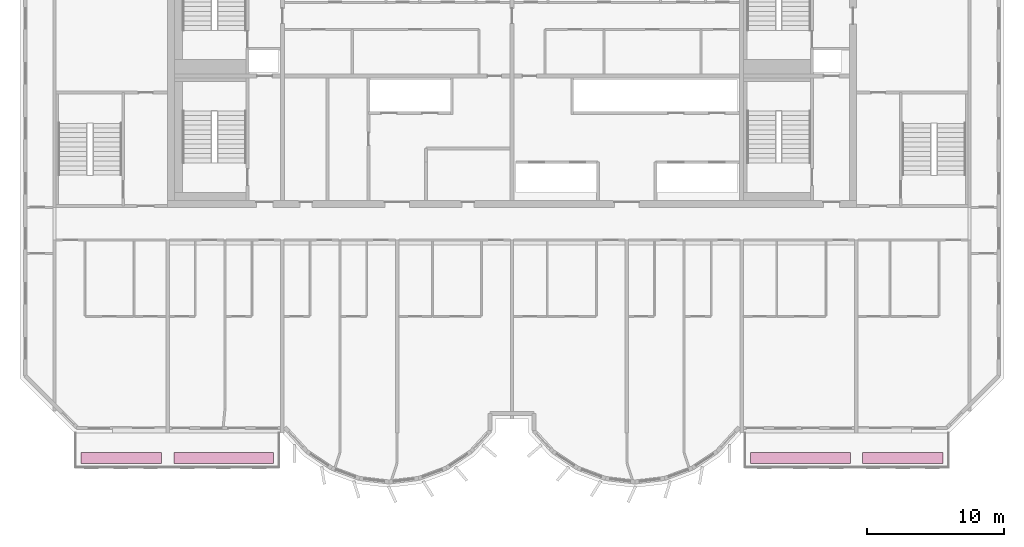
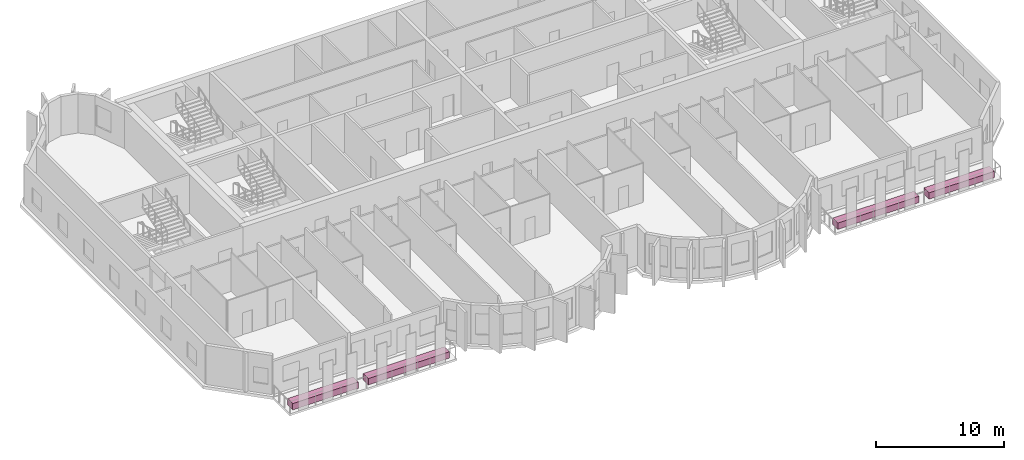
# One storey, part 12 of 12: 4 furniture elements.
"""IFC4 building model written with IfcOpenShell, lengths in metres."""

from ifc_helpers import new_model, si_unit, direction, frame, origin, origin_2d, place, context, subcontext, project, spatial, rectangle, extrude, source, transform, mapped, material, type_object, element, save


model = new_model("IFC4")

# Units and contexts
model_context = context("Model", 3, precision=1e-05, world=origin(), true_north=direction((0.0, 1.0)))
body_context = subcontext(model_context, "Body", "Model", "MODEL_VIEW")
ifc_project = project(units=[si_unit("LENGTHUNIT", "METRE"), si_unit("AREAUNIT", "SQUARE_METRE"), si_unit("VOLUMEUNIT", "CUBIC_METRE"), si_unit("PLANEANGLEUNIT", "RADIAN"), si_unit("MASSUNIT", "GRAM", prefix="KILO")], contexts=[model_context])

# Site, building, storey
site_placement = place(None, origin())
site = spatial("IfcSite", under=ifc_project, at=site_placement, CompositionType="ELEMENT")
building_placement = place(site_placement, origin())
building = spatial("IfcBuilding", under=site, at=building_placement, Name="Vanashikhar Sky Hotel", CompositionType="ELEMENT")
storey_placement = place(building_placement, frame((0.0, 0.0, 297.699951171875)))
storey = spatial("IfcBuildingStorey", under=building, at=storey_placement, Name="L71", CompositionType="ELEMENT", Elevation=297.699951171875)

# Furniture
ifc_material = material(Name="Planting soil and shrubs")
furniture_type = type_object("IfcFurnitureType", Name="Planter trough", AssemblyPlace="NOTDEFINED", PredefinedType="USERDEFINED", material=ifc_material)
shared_shape_1 = source(origin(), body_context, "Body", "SweptSolid", [
    extrude(rectangle(XDim=7.300048828125, YDim=0.800048828125, at=origin_2d()), origin(), (0.0, 0.0, 1.0), 0.60009765625),
])
for number, where, z_axis, x_axis, name in (
    (1, (29.300048828125, 3.64990234375, -0.050048828125), (0.0, 0.0, 1.0), (1.0, 0.0, 0.0), "PLANTER with climbers"),
    (2, (71.5, 3.64990234375, -0.050048828125), (0.0, 0.0, 1.0), (1.0, 0.0, 0.0), "PLANTER with climbers"),
):
    element("IfcFurniture", number, at=place(storey_placement, frame(where, z_axis=z_axis, x_axis=x_axis)), inside=storey, type_object=furniture_type, Name=name, ObjectType="PLANTER", PredefinedType="USERDEFINED", context=body_context, shape_type="MappedRepresentation", body=[
        mapped(shared_shape_1, transform((0.0, 0.0, 0.0), scale=1.0)),
    ])
shared_shape_2 = source(origin(), body_context, "Body", "SweptSolid", [
    extrude(rectangle(XDim=5.89990234375, YDim=0.800048828125, at=origin_2d()), origin(), (0.0, 0.0, 1.0), 0.60009765625),
])
for number, where, z_axis, x_axis, name in (
    (3, (21.800048828125, 3.64990234375, -0.050048828125), (0.0, 0.0, 1.0), (1.0, 0.0, 0.0), "PLANTER with climbers"),
    (4, (79.0, 3.64990234375, -0.050048828125), (0.0, 0.0, 1.0), (1.0, 0.0, 0.0), "PLANTER with climbers"),
):
    element("IfcFurniture", number, at=place(storey_placement, frame(where, z_axis=z_axis, x_axis=x_axis)), inside=storey, type_object=furniture_type, Name=name, ObjectType="PLANTER", PredefinedType="USERDEFINED", context=body_context, shape_type="MappedRepresentation", body=[
        mapped(shared_shape_2, transform((0.0, 0.0, 0.0), scale=1.0)),
    ])

save(model, "model.ifc")
